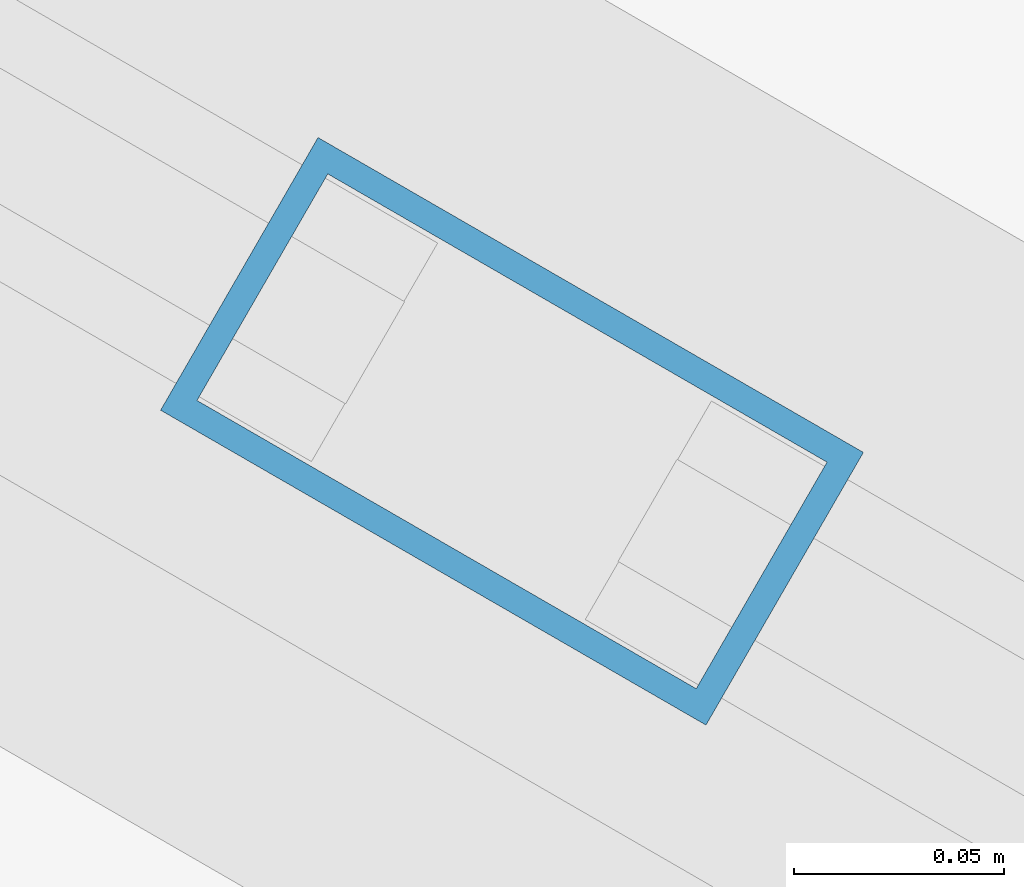
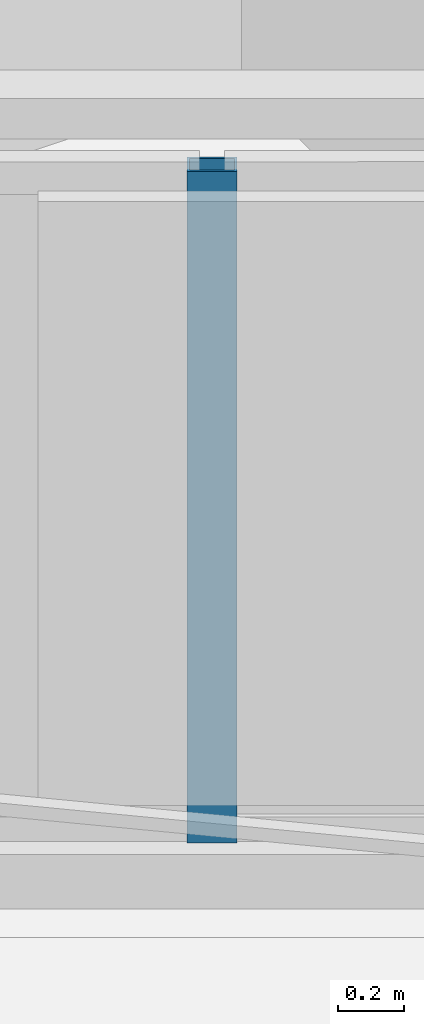
# One storey, part 4 of 21: 1 member, 1 element without a shape of its own.
"""IFC4 building model written with IfcOpenShell, lengths in metres."""

import ifcopenshell
import ifcopenshell.guid

model = None  # the IFC model being written
_history = None  # IfcOwnerHistory: only IFC2X3 demands one
_inside = {}  # id of a spatial element -> (the spatial element, [elements in it])
_under = {}  # id of a project, library or spatial element -> (it, [spatial elements below it])
_declared = {}  # id of a project -> (the project, [libraries it declares])
_typed = {}  # id of a type object -> (the type object, [elements of that type])
_made_of = {}  # id of a material, layer set ... -> (it, [elements and type objects made of it])


def new_model(schema):
    """Start an empty IFC model of exactly this schema.

    Asked for "IFC4X3", IfcOpenShell would pick the latest addendum, in which some entities
    have other attributes; the version numbers below select the first issue.
    IFC2X3 requires an IfcOwnerHistory on every rooted entity: one is made here for all.
    """
    global model, _history
    if schema == "IFC4X3":
        model = ifcopenshell.file(schema_version=(4, 3, 0, 0))
    else:
        model = ifcopenshell.file(schema=schema)
    _inside.clear()
    _under.clear()
    _declared.clear()
    _typed.clear()
    _made_of.clear()
    _history = None
    if model.schema == "IFC2X3":
        org = make("IfcOrganization", Name="unknown")
        user = make(
            "IfcPersonAndOrganization",
            ThePerson=make("IfcPerson", FamilyName="unknown"),
            TheOrganization=org,
        )
        app = make(
            "IfcApplication",
            ApplicationDeveloper=org,
            Version="unknown",
            ApplicationFullName="unknown",
            ApplicationIdentifier="unknown",
        )
        _history = make(
            "IfcOwnerHistory",
            OwningUser=user,
            OwningApplication=app,
            ChangeAction="ADDED",
            CreationDate=0,
        )
    return model


def make(cls, **values):
    """One entity of the class cls with the attributes given. An attribute that is None is left unset."""
    return model.create_entity(
        cls, **{name: value for name, value in values.items() if value is not None}
    )


def rooted(cls, **values):
    """An entity with a GlobalId (a new one), such as an element, a storey or a relation."""
    return make(cls, GlobalId=ifcopenshell.guid.new(), OwnerHistory=_history, **values)


def si_unit(unit_type, name, prefix=None):
    """IfcSIUnit, for example si_unit("LENGTHUNIT", "METRE", prefix="MILLI")."""
    return make("IfcSIUnit", UnitType=unit_type, Prefix=prefix, Name=name)


def assignment(units):
    """IfcUnitAssignment: the units of a project."""
    return None if units is None else make("IfcUnitAssignment", Units=units)


def point(xyz):
    """IfcCartesianPoint."""
    return None if xyz is None else make("IfcCartesianPoint", Coordinates=xyz)


def direction(xyz):
    """IfcDirection."""
    return None if xyz is None else make("IfcDirection", DirectionRatios=xyz)


def frame(location, z_axis=None, x_axis=None):
    """IfcAxis2Placement3D, a coordinate frame: its origin and axes. An axis left out is left unset."""
    return make(
        "IfcAxis2Placement3D",
        Location=point(location),
        Axis=direction(z_axis),
        RefDirection=direction(x_axis),
    )


def frame_2d(location, x_axis=None):
    """IfcAxis2Placement2D, a coordinate frame in the plane: its origin and x axis."""
    return make(
        "IfcAxis2Placement2D", Location=point(location), RefDirection=direction(x_axis)
    )


def origin():
    """The frame at (0, 0, 0) with its axes left unset."""
    return frame((0.0, 0.0, 0.0))


def origin_2d():
    """The frame at (0, 0) in the plane with its x axis left unset."""
    return frame_2d((0.0, 0.0))


def place(relative_to, where):
    """IfcLocalPlacement: puts the frame where relative to a parent placement (None: the world)."""
    return make(
        "IfcLocalPlacement", PlacementRelTo=relative_to, RelativePlacement=where
    )


def context(
    kind, dimensions, precision=None, world=None, true_north=None, identifier=None
):
    """IfcGeometricRepresentationContext, for example the 3D "Model" context."""
    return make(
        "IfcGeometricRepresentationContext",
        ContextIdentifier=identifier,
        ContextType=kind,
        CoordinateSpaceDimension=dimensions,
        Precision=precision,
        WorldCoordinateSystem=world,
        TrueNorth=true_north,
    )


def subcontext(parent, identifier, kind, view, scale=None):
    """IfcGeometricRepresentationSubContext, for example "Body" below "Model"."""
    return make(
        "IfcGeometricRepresentationSubContext",
        ContextIdentifier=identifier,
        ContextType=kind,
        ParentContext=parent,
        TargetScale=scale,
        TargetView=view,
    )


def project(units=None, contexts=None):
    """IfcProject with its units and contexts."""
    return rooted(
        "IfcProject",
        Name="project",
        RepresentationContexts=contexts,
        UnitsInContext=assignment(units),
    )


def spatial(cls, under=None, at=None, **own):
    """A site, building, storey or space (cls), placed at a placement, below another one or the project."""
    s = rooted(cls, ObjectPlacement=at, **own)
    if under is not None:
        _under.setdefault(under.id(), (under, []))[1].append(s)
    return s


def profile(cls, at=None, kind="AREA", **sizes):
    """A parametric profile (cls). Its sizes go by their IFC names, for example OverallWidth=200.0."""
    return make(cls, ProfileType=kind, Position=at, **sizes)


def hollow_rectangle(**sizes):
    """IfcRectangleHollowProfileDef."""
    return profile("IfcRectangleHollowProfileDef", **sizes)


def extrude(swept, where, along, depth):
    """IfcExtrudedAreaSolid: the profile swept, set in the frame where, extruded along a direction by depth."""
    return make(
        "IfcExtrudedAreaSolid",
        SweptArea=swept,
        Position=where,
        ExtrudedDirection=direction(along),
        Depth=depth,
    )


def shape(context_of_items, identifier, shape_type, items):
    """IfcShapeRepresentation: the items that make up one representation, for example the "Body"."""
    return make(
        "IfcShapeRepresentation",
        ContextOfItems=context_of_items,
        RepresentationIdentifier=identifier,
        RepresentationType=shape_type,
        Items=items,
    )


def material(Name=None, Category=None):
    """IfcMaterial."""
    return make("IfcMaterial", Name=Name, Category=Category)


def layer(
    of_material, thickness, ventilated=None, Name=None, Category=None, Priority=None
):
    """IfcMaterialLayer: one layer of a wall or slab, of a material (None: an air gap)."""
    return make(
        "IfcMaterialLayer",
        Material=of_material,
        LayerThickness=thickness,
        IsVentilated=ventilated,
        Name=Name,
        Category=Category,
        Priority=Priority,
    )


def layer_set(layers, Name=None):
    """IfcMaterialLayerSet."""
    return make("IfcMaterialLayerSet", MaterialLayers=layers, LayerSetName=Name)


def material_profile(
    of_material, cross_section, Name=None, Category=None, Priority=None
):
    """IfcMaterialProfile: a cross section and its material."""
    return make(
        "IfcMaterialProfile",
        Name=Name,
        Material=of_material,
        Profile=cross_section,
        Priority=Priority,
        Category=Category,
    )


def profile_set(profiles, Name=None, composite=None):
    """IfcMaterialProfileSet."""
    return make(
        "IfcMaterialProfileSet",
        Name=Name,
        MaterialProfiles=profiles,
        CompositeProfile=composite,
    )


def made_of(thing, what):
    """Note that an element or type object is made of a material, layer set ...; save() writes the relation."""
    if what is not None:
        _made_of.setdefault(what.id(), (what, []))[1].append(thing)
    return thing


def type_object(cls, material=None, **own):
    """A type object (cls), such as IfcWallType, which elements share."""
    return made_of(rooted(cls, **own), material)


def element(
    cls,
    number,
    at=None,
    inside=None,
    cuts=None,
    type_object=None,
    material=None,
    context=None,
    identifier="Body",
    shape_type=None,
    held_by="IfcProductDefinitionShape",
    body=None,
    shapes=None,
    **own,
):
    """One element of the class cls, such as IfcWall. Its Tag is "e" and its number.

    at: its placement. inside: the storey or other place that contains it. cuts: it is an
    opening in that element (IfcRelVoidsElement). A single representation is given by context,
    identifier, shape_type and body (its items); several are given by shapes. held_by: the class
    of the entity that holds the representations. save() writes the other relations.
    """
    e = rooted(cls, Tag="e%d" % number, ObjectPlacement=at, **own)
    if body is not None:
        shapes = [shape(context, identifier, shape_type, body)]
    if shapes is not None:
        e.Representation = make(held_by, Representations=shapes)
    if inside is not None:
        _inside.setdefault(inside.id(), (inside, []))[1].append(e)
    if cuts is not None:
        rooted(
            "IfcRelVoidsElement", RelatingBuildingElement=cuts, RelatedOpeningElement=e
        )
    if type_object is not None:
        _typed.setdefault(type_object.id(), (type_object, []))[1].append(e)
    return made_of(e, material)


def aggregate(whole, parts):
    """IfcRelAggregates: a whole, such as a stair, and the parts it consists of."""
    return rooted("IfcRelAggregates", RelatingObject=whole, RelatedObjects=parts)


def save(model, path):
    """Write the relations noted so far, then the file.

    IfcRelAggregates (storeys below a building ...), IfcRelContainedInSpatialStructure (elements
    in a storey), IfcRelDefinesByType, IfcRelAssociatesMaterial and IfcRelDeclares: one each for
    every whole, place, type object, material and project.
    """
    for whole, parts in _under.values():
        aggregate(whole, parts)
    for where, things in _inside.values():
        rooted(
            "IfcRelContainedInSpatialStructure",
            RelatedElements=things,
            RelatingStructure=where,
        )
    for kind, things in _typed.values():
        rooted("IfcRelDefinesByType", RelatedObjects=things, RelatingType=kind)
    for what, things in _made_of.values():
        rooted("IfcRelAssociatesMaterial", RelatedObjects=things, RelatingMaterial=what)
    for by, libraries in _declared.values():
        rooted("IfcRelDeclares", RelatingContext=by, RelatedDefinitions=libraries)
    model.write(path)


model = new_model("IFC4")

# Units and contexts
model_context = context("Model", 3, precision=1e-05, world=origin(), true_north=direction((0.0, 1.0)))
body_context = subcontext(model_context, "Body", "Model", "MODEL_VIEW")
ifc_project = project(units=[si_unit("LENGTHUNIT", "METRE"), si_unit("AREAUNIT", "SQUARE_METRE"), si_unit("VOLUMEUNIT", "CUBIC_METRE"), si_unit("PLANEANGLEUNIT", "RADIAN"), si_unit("MASSUNIT", "GRAM", prefix="KILO")], contexts=[model_context])

# Site, building, storey
site_placement = place(None, origin())
site = spatial("IfcSite", under=ifc_project, at=site_placement, CompositionType="ELEMENT")
building_placement = place(site_placement, origin())
building = spatial("IfcBuilding", under=site, at=building_placement, Name="Mersakhor Tower and Convention Hall", CompositionType="ELEMENT")
storey_placement = place(building_placement, frame((0.0, 0.0, 121.199951171875)))
storey = spatial("IfcBuildingStorey", under=building, at=storey_placement, Name="L33", CompositionType="ELEMENT", Elevation=121.199951171875)

# Curtain wall, member
ifc_material_1 = material(Name="Dark solar low-E aluminium curtain wall", Category="aluminium")
ifc_layer = layer(ifc_material_1, 0.169921875)
ifc_layer_set = layer_set([ifc_layer], Name="Dark solar low-E aluminium curtain wall")
curtain_wall_type = type_object("IfcCurtainWallType", Name="CW-SYS-02", PredefinedType="USERDEFINED", material=ifc_layer_set)
curtain_wall_placement = place(storey_placement, origin())
curtain_wall = element("IfcCurtainWall", 1, at=curtain_wall_placement, inside=storey, type_object=curtain_wall_type, Name="L33 Dark-Glass Curtain Wall F3-B2", ObjectType="CURTAIN WALL", PredefinedType="USERDEFINED")
ifc_material_2 = material(Name="Anodised aluminium EN AW-6063 T6", Category="aluminium")
ifc_material_profile = material_profile(ifc_material_2, hollow_rectangle(XDim=0.074951171875, YDim=0.14990234375, WallThickness=0.00634765625, at=origin_2d()), Name="RHS 150x75x6.3")
ifc_profile_set = profile_set([ifc_material_profile], Name="Anodised aluminium EN AW-6063 T6")
member_type = type_object("IfcMemberType", Name="CWM-150x75", PredefinedType="MULLION", material=ifc_profile_set)
member_placement = place(storey_placement, frame((23.904052734375, 14.427978515625, 0.199951171875), z_axis=(0.0, 0.0, 1.0), x_axis=(-0.499990468363, -0.866030906807, 0.0)))
member = element("IfcMember", 2, at=member_placement, type_object=member_type, Name="CW-02 mullion 2", PredefinedType="MULLION", context=body_context, shape_type="SweptSolid", body=[
    extrude(hollow_rectangle(XDim=0.074951171875, YDim=0.14990234375, WallThickness=0.00634765625, at=origin_2d()), origin(), (0.0, 0.0, 1.0), 2.47998046875),
])
aggregate(curtain_wall, [member])

save(model, "model.ifc")
